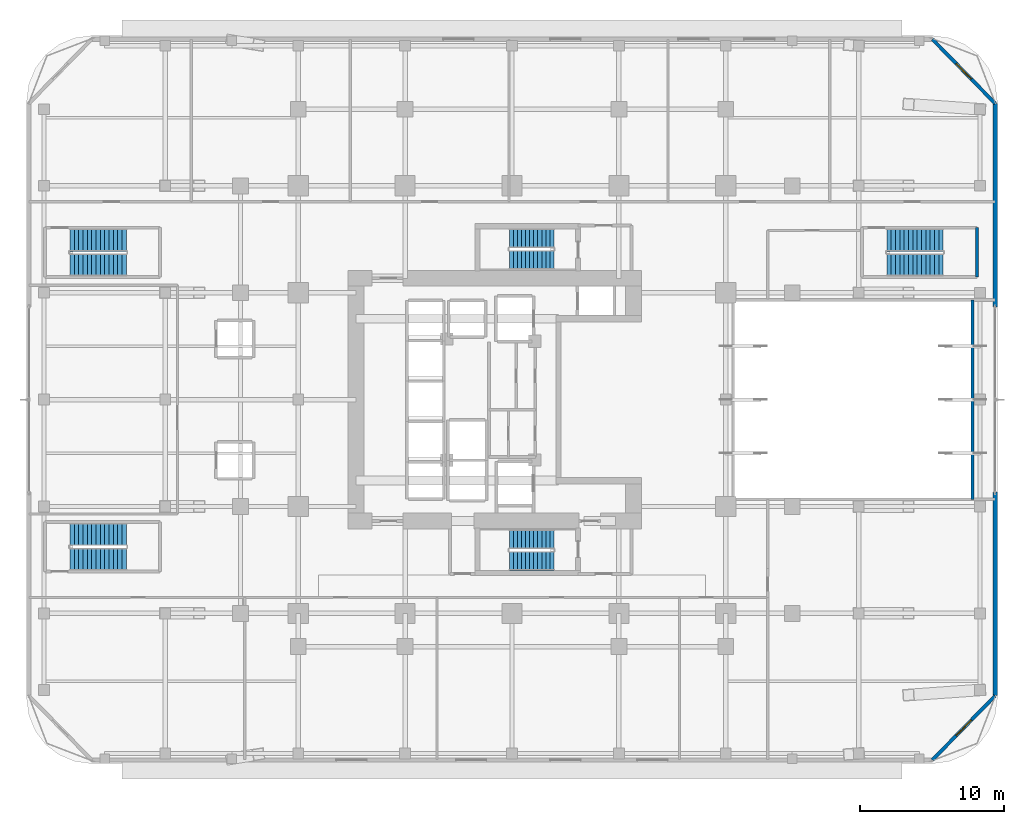
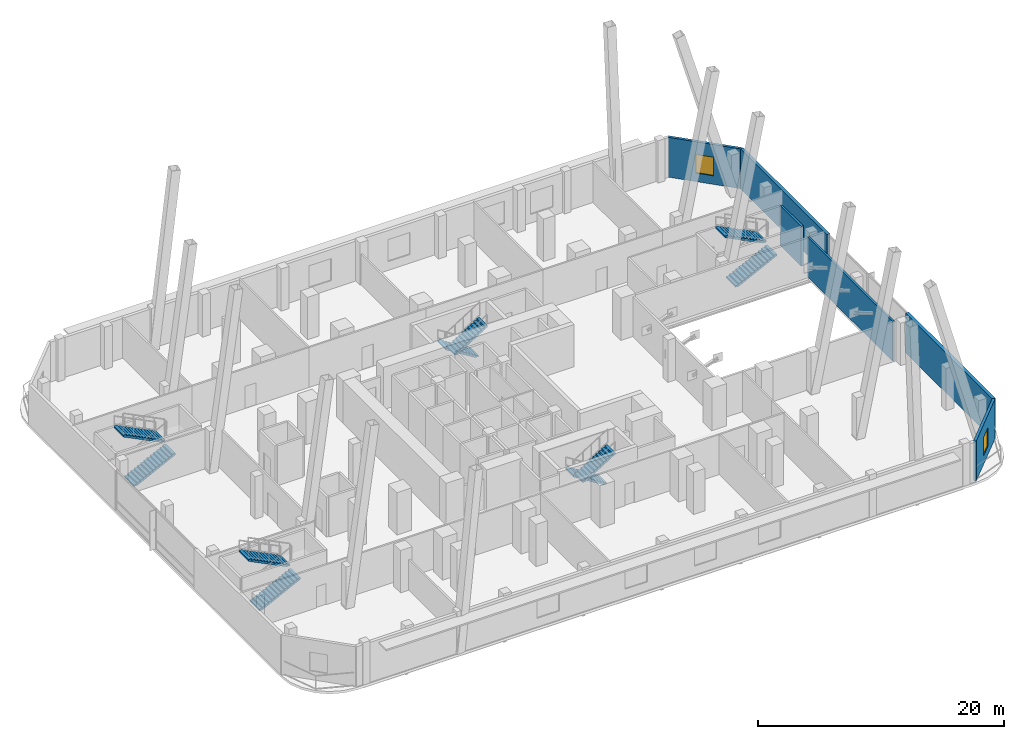
# One storey, part 15 of 23: 10 stair flights, 6 walls, 2 windows, 2 openings, 5 elements without a shape of their own.
"""IFC4 building model written with IfcOpenShell, lengths in metres."""

from ifc_helpers import new_model, si_unit, direction, frame, frame_2d, origin, place, context, subcontext, project, spatial, polyline, rectangle, outline, extrude, material, layer, layer_set, type_object, element, fill, aggregate, save


model = new_model("IFC4")

# Units and contexts
model_context = context("Model", 3, precision=1e-05, world=origin(), true_north=direction((0.0, 1.0)))
body_context = subcontext(model_context, "Body", "Model", "MODEL_VIEW")
ifc_project = project(units=[si_unit("LENGTHUNIT", "METRE"), si_unit("AREAUNIT", "SQUARE_METRE"), si_unit("VOLUMEUNIT", "CUBIC_METRE"), si_unit("PLANEANGLEUNIT", "RADIAN"), si_unit("MASSUNIT", "GRAM", prefix="KILO")], contexts=[model_context])

# Site, building, storey
site_placement = place(None, origin())
site = spatial("IfcSite", under=ifc_project, at=site_placement, CompositionType="ELEMENT")
building_placement = place(site_placement, origin())
building = spatial("IfcBuilding", under=site, at=building_placement, Name="Khorvyn Point Tower", CompositionType="ELEMENT")
storey_placement = place(building_placement, frame((0.0, 0.0, 9.0)))
storey = spatial("IfcBuildingStorey", under=building, at=storey_placement, Name="L03", CompositionType="ELEMENT", Elevation=9.0)

# Wall, opening, window
ifc_material_1 = material(Name="Pale anodised aluminium rainscreen on steel stud", Category="steel")
ifc_layer_1 = layer(ifc_material_1, 0.239990234375)
ifc_layer_set_1 = layer_set([ifc_layer_1], Name="Anodised Aluminium Insulated Corner Spandrel Wall 240")
wall_type_1 = type_object("IfcWallType", Name="Anodised Aluminium Insulated Corner Spandrel Wall 240", PredefinedType="SOLIDWALL", material=ifc_layer_set_1)
wall_1_placement = place(storey_placement, frame((29.10009765625, 24.949951171875, 0.0), z_axis=(0.0, 0.0, 1.0), x_axis=(0.69901822973, -0.715103848756, 0.0)))
wall_1 = element("IfcWall", 1, at=wall_1_placement, inside=storey, type_object=wall_type_1, Name="L03 Rounded Corner Wall NE", PredefinedType="SOLIDWALL", context=body_context, shape_type="SweptSolid", body=[
    extrude(rectangle(XDim=6.222900390625, YDim=0.239990234375, at=frame_2d((3.111328125, 0.0))), origin(), (0.0, 0.0, 1.0), 3.9599609375),
])
opening_1_placement = place(wall_1_placement, frame((2.361572265625, 0.0, 0.85009765625)))
opening_1 = element("IfcOpeningElement", 2, at=opening_1_placement, cuts=wall_1, Name="Opening WN-1518", PredefinedType="OPENING", context=body_context, shape_type="SweptSolid", body=[
    extrude(rectangle(XDim=1.5, YDim=1.85009765625, at=frame_2d((0.75, 0.925048828125))), frame((0.0, 0.1298828125, 0.0), z_axis=(0.0, -1.0, 0.0), x_axis=(1.0, 0.0, 0.0)), (0.0, 0.0, 1.0), 0.260009765625),
])
ifc_material_2 = material(Name="Anodised aluminium 6063-T6 and laminated Low-E glass", Category="aluminium")
window_type = type_object("IfcWindowType", Name="Anodised Aluminium Rounded-Corner Panoramic Window 1500x1850", PartitioningType="SINGLE_PANEL", PredefinedType="WINDOW", material=ifc_material_2)
window_1_placement = place(opening_1_placement, origin())
window_1 = element("IfcWindow", 3, at=window_1_placement, inside=storey, type_object=window_type, Name="L03 Corner Window NE", OverallHeight=1.85009765625, OverallWidth=1.5, PartitioningType="SINGLE_PANEL", PredefinedType="WINDOW", context=body_context, shape_type="SweptSolid", body=[
    extrude(rectangle(XDim=1.5, YDim=1.85009765625, at=frame_2d((0.75, 0.925048828125))), frame((0.0, 0.030029296875, 0.0), z_axis=(0.0, -1.0, 0.0), x_axis=(1.0, 0.0, 0.0)), (0.0, 0.0, 1.0), 0.06005859375),
])
fill(opening_1, window_1)

wall_2_placement = place(storey_placement, frame((33.449951171875, -20.5, 0.0), z_axis=(0.0, 0.0, 1.0), x_axis=(-0.69901822973, -0.715103848756, 0.0)))
wall_2 = element("IfcWall", 4, at=wall_2_placement, inside=storey, type_object=wall_type_1, Name="L03 Rounded Corner Wall SE", PredefinedType="SOLIDWALL", context=body_context, shape_type="SweptSolid", body=[
    extrude(rectangle(XDim=6.222900390625, YDim=0.239990234375, at=frame_2d((3.111328125, 0.0))), origin(), (0.0, 0.0, 1.0), 3.9599609375),
])
opening_2_placement = place(wall_2_placement, frame((2.361572265625, 0.0, 0.85009765625)))
opening_2 = element("IfcOpeningElement", 5, at=opening_2_placement, cuts=wall_2, Name="Opening WN-1518", PredefinedType="OPENING", context=body_context, shape_type="SweptSolid", body=[
    extrude(rectangle(XDim=1.5, YDim=1.85009765625, at=frame_2d((0.75, 0.925048828125))), frame((0.0, 0.1298828125, 0.0), z_axis=(0.0, -1.0, 0.0), x_axis=(1.0, 0.0, 0.0)), (0.0, 0.0, 1.0), 0.260009765625),
])
window_2_placement = place(opening_2_placement, origin())
window_2 = element("IfcWindow", 6, at=window_2_placement, inside=storey, type_object=window_type, Name="L03 Corner Window SE", OverallHeight=1.85009765625, OverallWidth=1.5, PartitioningType="SINGLE_PANEL", PredefinedType="WINDOW", context=body_context, shape_type="SweptSolid", body=[
    extrude(rectangle(XDim=1.5, YDim=1.85009765625, at=frame_2d((0.75, 0.925048828125))), frame((0.0, 0.030029296875, 0.0), z_axis=(0.0, -1.0, 0.0), x_axis=(1.0, 0.0, 0.0)), (0.0, 0.0, 1.0), 0.06005859375),
])
fill(opening_2, window_2)

# Walls
ifc_material_3 = material(Name="Concrete C40/50", Category="concrete")
ifc_layer_2 = layer(ifc_material_3, 0.199951171875)
ifc_layer_set_2 = layer_set([ifc_layer_2], Name="Concrete C40/50 Fire-Lobby Compartment Wall 200")
wall_type_2 = type_object("IfcWallType", Name="Concrete C40/50 Fire-Lobby Compartment Wall 200", PredefinedType="SOLIDWALL", material=ifc_layer_set_2)
wall_3_placement = place(storey_placement, frame((31.8798828125, -6.89990234375, 0.0), z_axis=(0.0, 0.0, 1.0), x_axis=(0.0, 1.0, 0.0)))
element("IfcWall", 7, at=wall_3_placement, inside=storey, type_object=wall_type_2, Name="Wall", PredefinedType="SOLIDWALL", context=body_context, shape_type="SweptSolid", body=[
    extrude(rectangle(XDim=13.7998046875, YDim=0.199951171875, at=frame_2d((6.89990234375, 0.0))), origin(), (0.0, 0.0, 1.0), 3.9599609375),
])
ifc_layer_3 = layer(ifc_material_3, 0.199951171875)
ifc_layer_set_3 = layer_set([ifc_layer_3], Name="Concrete C40/50 Structural Hoistway and Stair Shaft Wall 200")
wall_type_3 = type_object("IfcWallType", Name="Concrete C40/50 Structural Hoistway and Stair Shaft Wall 200", PredefinedType="SHEAR", material=ifc_layer_set_3)
wall_4_placement = place(storey_placement, frame((32.179931640625, 11.89990234375, 0.0), z_axis=(0.0, 0.0, 1.0), x_axis=(0.0, -1.0, 0.0)))
element("IfcWall", 8, at=wall_4_placement, inside=storey, type_object=wall_type_3, Name="Wall", PredefinedType="SHEAR", context=body_context, shape_type="SweptSolid", body=[
    extrude(rectangle(XDim=3.419921875, YDim=0.199951171875, at=frame_2d((1.7099609375, 0.0))), origin(), (0.0, 0.0, 1.0), 3.9599609375),
])
ifc_material_4 = material(Name="Precast concrete C35/45", Category="concrete")
ifc_layer_4 = layer(ifc_material_4, 0.300048828125)
ifc_layer_set_4 = layer_set([ifc_layer_4], Name="Precast Concrete C35/45 Insulated Podium Facade Wall 300")
wall_type_4 = type_object("IfcWallType", Name="Precast Concrete C35/45 Insulated Podium Facade Wall 300", PredefinedType="SOLIDWALL", material=ifc_layer_set_4)
for number, where, z_axis, x_axis, name in (
    (9, (33.449951171875, -20.5, 0.0), (0.0, 0.0, 1.0), (0.0, 1.0, 0.0), "Wall"),
    (10, (33.449951171875, 6.409912109375, 0.0), (0.0, 0.0, 1.0), (0.0, 1.0, 0.0), "Wall"),
):
    element("IfcWall", number, at=place(storey_placement, frame(where, z_axis=z_axis, x_axis=x_axis)), inside=storey, type_object=wall_type_4, Name=name, PredefinedType="SOLIDWALL", context=body_context, shape_type="SweptSolid", body=[
        extrude(rectangle(XDim=14.090087890625, YDim=0.300048828125, at=frame_2d((7.044921875, 0.0))), origin(), (0.0, 0.0, 1.0), 3.9599609375),
    ])

# Stair, stair flights
stair_type_1 = type_object("IfcStairType", Name="School Podium Concrete C40/50 Wide Exit Stair", PredefinedType="HALF_TURN_STAIR", material=ifc_material_3)
stair_1_placement = place(storey_placement, origin())
stair_1 = element("IfcStair", 11, at=stair_1_placement, inside=storey, type_object=stair_type_1, Name="L03 School Podium Smokeproof Stair Southwest", PredefinedType="HALF_TURN_STAIR")
stair_flight_type_1 = type_object("IfcStairFlightType", Name="School Podium Concrete C40/50 Gentle-Riser Flight", PredefinedType="STRAIGHT", material=ifc_material_3)
stair_flight_1_placement = place(storey_placement, frame((-30.60009765625, -11.044921875, 0.0), z_axis=(0.0, 0.0, 1.0), x_axis=(1.0, 0.0, 0.0)))
stair_flight_1 = element("IfcStairFlight", 12, at=stair_flight_1_placement, type_object=stair_flight_type_1, Name="ST-S1 flight 1", NumberOfRisers=14, NumberOfTreads=13, PredefinedType="STRAIGHT", RiserHeight=0.15, TreadLength=0.3, context=body_context, shape_type="SweptSolid", body=[
    extrude(outline(polyline([(0.0, 0.0), (0.0, 0.14990234375), (0.300048828125, 0.14990234375), (0.300048828125, 0.300048828125), (0.60009765625, 0.300048828125), (0.60009765625, 0.449951171875), (0.89990234375, 0.449951171875), (0.89990234375, 0.60009765625), (1.199951171875, 0.60009765625), (1.199951171875, 0.75), (1.5, 0.75), (1.5, 0.89990234375), (1.800048828125, 0.89990234375), (1.800048828125, 1.050048828125), (2.10009765625, 1.050048828125), (2.10009765625, 1.199951171875), (2.39990234375, 1.199951171875), (2.39990234375, 1.35009765625), (2.699951171875, 1.35009765625), (2.699951171875, 1.5), (3.0, 1.5), (3.0, 1.64990234375), (3.300048828125, 1.64990234375), (3.300048828125, 1.800048828125), (3.60009765625, 1.800048828125), (3.60009765625, 1.949951171875), (3.89990234375, 1.949951171875), (3.89990234375, 2.10009765625), (3.89990234375, 1.782470703125), (0.335205078125, 0.0), (0.0, 0.0)])), frame((0.0, 0.77490234375, 0.0), z_axis=(0.0, -1.0, 0.0), x_axis=(1.0, 0.0, 0.0)), (0.0, 0.0, 1.0), 1.550048828125),
])
stair_flight_2_placement = place(storey_placement, frame((-26.699951171875, -9.3349609375, 2.10009765625), z_axis=(0.0, 0.0, 1.0), x_axis=(-1.0, 0.0, 0.0)))
stair_flight_2 = element("IfcStairFlight", 13, at=stair_flight_2_placement, type_object=stair_flight_type_1, Name="ST-S1 flight 2", NumberOfRisers=14, NumberOfTreads=13, PredefinedType="STRAIGHT", RiserHeight=0.15, TreadLength=0.3, context=body_context, shape_type="SweptSolid", body=[
    extrude(outline(polyline([(0.0, 0.0), (0.0, 0.14990234375), (0.300048828125, 0.14990234375), (0.300048828125, 0.300048828125), (0.60009765625, 0.300048828125), (0.60009765625, 0.449951171875), (0.89990234375, 0.449951171875), (0.89990234375, 0.60009765625), (1.199951171875, 0.60009765625), (1.199951171875, 0.75), (1.5, 0.75), (1.5, 0.89990234375), (1.800048828125, 0.89990234375), (1.800048828125, 1.050048828125), (2.10009765625, 1.050048828125), (2.10009765625, 1.199951171875), (2.39990234375, 1.199951171875), (2.39990234375, 1.35009765625), (2.699951171875, 1.35009765625), (2.699951171875, 1.5), (3.0, 1.5), (3.0, 1.64990234375), (3.300048828125, 1.64990234375), (3.300048828125, 1.800048828125), (3.60009765625, 1.800048828125), (3.60009765625, 1.949951171875), (3.89990234375, 1.949951171875), (3.89990234375, 2.10009765625), (3.89990234375, 1.782470703125), (0.335205078125, 0.0), (0.0, 0.0)])), frame((0.0, 0.77490234375, 0.0), z_axis=(0.0, -1.0, 0.0), x_axis=(1.0, 0.0, 0.0)), (0.0, 0.0, 1.0), 1.550048828125),
])
aggregate(stair_1, [stair_flight_1, stair_flight_2])

stair_2_placement = place(storey_placement, origin())
stair_2 = element("IfcStair", 14, at=stair_2_placement, inside=storey, type_object=stair_type_1, Name="L03 School Podium Smokeproof Stair Northwest", PredefinedType="HALF_TURN_STAIR")
stair_flight_3_placement = place(storey_placement, frame((-30.60009765625, 9.3349609375, 0.0), z_axis=(0.0, 0.0, 1.0), x_axis=(1.0, 0.0, 0.0)))
stair_flight_3 = element("IfcStairFlight", 15, at=stair_flight_3_placement, type_object=stair_flight_type_1, Name="ST-S2 flight 1", NumberOfRisers=14, NumberOfTreads=13, PredefinedType="STRAIGHT", RiserHeight=0.15, TreadLength=0.3, context=body_context, shape_type="SweptSolid", body=[
    extrude(outline(polyline([(0.0, 0.0), (0.0, 0.14990234375), (0.300048828125, 0.14990234375), (0.300048828125, 0.300048828125), (0.60009765625, 0.300048828125), (0.60009765625, 0.449951171875), (0.89990234375, 0.449951171875), (0.89990234375, 0.60009765625), (1.199951171875, 0.60009765625), (1.199951171875, 0.75), (1.5, 0.75), (1.5, 0.89990234375), (1.800048828125, 0.89990234375), (1.800048828125, 1.050048828125), (2.10009765625, 1.050048828125), (2.10009765625, 1.199951171875), (2.39990234375, 1.199951171875), (2.39990234375, 1.35009765625), (2.699951171875, 1.35009765625), (2.699951171875, 1.5), (3.0, 1.5), (3.0, 1.64990234375), (3.300048828125, 1.64990234375), (3.300048828125, 1.800048828125), (3.60009765625, 1.800048828125), (3.60009765625, 1.949951171875), (3.89990234375, 1.949951171875), (3.89990234375, 2.10009765625), (3.89990234375, 1.782470703125), (0.335205078125, 0.0), (0.0, 0.0)])), frame((0.0, 0.77490234375, 0.0), z_axis=(0.0, -1.0, 0.0), x_axis=(1.0, 0.0, 0.0)), (0.0, 0.0, 1.0), 1.550048828125),
])
stair_flight_4_placement = place(storey_placement, frame((-26.699951171875, 11.044921875, 2.10009765625), z_axis=(0.0, 0.0, 1.0), x_axis=(-1.0, 0.0, 0.0)))
stair_flight_4 = element("IfcStairFlight", 16, at=stair_flight_4_placement, type_object=stair_flight_type_1, Name="ST-S2 flight 2", NumberOfRisers=14, NumberOfTreads=13, PredefinedType="STRAIGHT", RiserHeight=0.15, TreadLength=0.3, context=body_context, shape_type="SweptSolid", body=[
    extrude(outline(polyline([(0.0, 0.0), (0.0, 0.14990234375), (0.300048828125, 0.14990234375), (0.300048828125, 0.300048828125), (0.60009765625, 0.300048828125), (0.60009765625, 0.449951171875), (0.89990234375, 0.449951171875), (0.89990234375, 0.60009765625), (1.199951171875, 0.60009765625), (1.199951171875, 0.75), (1.5, 0.75), (1.5, 0.89990234375), (1.800048828125, 0.89990234375), (1.800048828125, 1.050048828125), (2.10009765625, 1.050048828125), (2.10009765625, 1.199951171875), (2.39990234375, 1.199951171875), (2.39990234375, 1.35009765625), (2.699951171875, 1.35009765625), (2.699951171875, 1.5), (3.0, 1.5), (3.0, 1.64990234375), (3.300048828125, 1.64990234375), (3.300048828125, 1.800048828125), (3.60009765625, 1.800048828125), (3.60009765625, 1.949951171875), (3.89990234375, 1.949951171875), (3.89990234375, 2.10009765625), (3.89990234375, 1.782470703125), (0.335205078125, 0.0), (0.0, 0.0)])), frame((0.0, 0.77490234375, 0.0), z_axis=(0.0, -1.0, 0.0), x_axis=(1.0, 0.0, 0.0)), (0.0, 0.0, 1.0), 1.550048828125),
])
aggregate(stair_2, [stair_flight_3, stair_flight_4])

stair_3_placement = place(storey_placement, origin())
stair_3 = element("IfcStair", 17, at=stair_3_placement, inside=storey, type_object=stair_type_1, Name="L03 School Podium Smokeproof Stair Northeast", PredefinedType="HALF_TURN_STAIR")
stair_flight_5_placement = place(storey_placement, frame((25.949951171875, 9.3349609375, 0.0), z_axis=(0.0, 0.0, 1.0), x_axis=(1.0, 0.0, 0.0)))
stair_flight_5 = element("IfcStairFlight", 18, at=stair_flight_5_placement, type_object=stair_flight_type_1, Name="ST-S3 flight 1", NumberOfRisers=14, NumberOfTreads=13, PredefinedType="STRAIGHT", RiserHeight=0.15, TreadLength=0.3, context=body_context, shape_type="SweptSolid", body=[
    extrude(outline(polyline([(0.0, 0.0), (0.0, 0.14990234375), (0.300048828125, 0.14990234375), (0.300048828125, 0.300048828125), (0.60009765625, 0.300048828125), (0.60009765625, 0.449951171875), (0.89990234375, 0.449951171875), (0.89990234375, 0.60009765625), (1.199951171875, 0.60009765625), (1.199951171875, 0.75), (1.5, 0.75), (1.5, 0.89990234375), (1.800048828125, 0.89990234375), (1.800048828125, 1.050048828125), (2.10009765625, 1.050048828125), (2.10009765625, 1.199951171875), (2.39990234375, 1.199951171875), (2.39990234375, 1.35009765625), (2.699951171875, 1.35009765625), (2.699951171875, 1.5), (3.0, 1.5), (3.0, 1.64990234375), (3.300048828125, 1.64990234375), (3.300048828125, 1.800048828125), (3.60009765625, 1.800048828125), (3.60009765625, 1.949951171875), (3.89990234375, 1.949951171875), (3.89990234375, 2.10009765625), (3.89990234375, 1.782470703125), (0.335205078125, 0.0), (0.0, 0.0)])), frame((0.0, 0.77490234375, 0.0), z_axis=(0.0, -1.0, 0.0), x_axis=(1.0, 0.0, 0.0)), (0.0, 0.0, 1.0), 1.550048828125),
])
stair_flight_6_placement = place(storey_placement, frame((29.85009765625, 11.044921875, 2.10009765625), z_axis=(0.0, 0.0, 1.0), x_axis=(-1.0, 0.0, 0.0)))
stair_flight_6 = element("IfcStairFlight", 19, at=stair_flight_6_placement, type_object=stair_flight_type_1, Name="ST-S3 flight 2", NumberOfRisers=14, NumberOfTreads=13, PredefinedType="STRAIGHT", RiserHeight=0.15, TreadLength=0.3, context=body_context, shape_type="SweptSolid", body=[
    extrude(outline(polyline([(0.0, 0.0), (0.0, 0.14990234375), (0.300048828125, 0.14990234375), (0.300048828125, 0.300048828125), (0.60009765625, 0.300048828125), (0.60009765625, 0.449951171875), (0.89990234375, 0.449951171875), (0.89990234375, 0.60009765625), (1.199951171875, 0.60009765625), (1.199951171875, 0.75), (1.5, 0.75), (1.5, 0.89990234375), (1.800048828125, 0.89990234375), (1.800048828125, 1.050048828125), (2.10009765625, 1.050048828125), (2.10009765625, 1.199951171875), (2.39990234375, 1.199951171875), (2.39990234375, 1.35009765625), (2.699951171875, 1.35009765625), (2.699951171875, 1.5), (3.0, 1.5), (3.0, 1.64990234375), (3.300048828125, 1.64990234375), (3.300048828125, 1.800048828125), (3.60009765625, 1.800048828125), (3.60009765625, 1.949951171875), (3.89990234375, 1.949951171875), (3.89990234375, 2.10009765625), (3.89990234375, 1.782470703125), (0.335205078125, 0.0), (0.0, 0.0)])), frame((0.0, 0.77490234375, 0.0), z_axis=(0.0, -1.0, 0.0), x_axis=(1.0, 0.0, 0.0)), (0.0, 0.0, 1.0), 1.550048828125),
])
aggregate(stair_3, [stair_flight_5, stair_flight_6])

stair_type_2 = type_object("IfcStairType", Name="Tower Concrete C40/50 Dogleg Exit Stair", PredefinedType="HALF_TURN_STAIR", material=ifc_material_3)
stair_4_placement = place(storey_placement, origin())
stair_4 = element("IfcStair", 20, at=stair_4_placement, inside=storey, type_object=stair_type_2, Name="L03 Tower Smokeproof Exit Stair South", PredefinedType="HALF_TURN_STAIR")
stair_flight_type_2 = type_object("IfcStairFlightType", Name="Tower Concrete C40/50 Stair Flight", PredefinedType="STRAIGHT", material=ifc_material_3)
stair_flight_7_placement = place(storey_placement, frame((2.89990234375, -9.679931640625, 0.0), z_axis=(0.0, 0.0, 1.0), x_axis=(-1.0, 0.0, 0.0)))
stair_flight_7 = element("IfcStairFlight", 21, at=stair_flight_7_placement, type_object=stair_flight_type_2, Name="ST-01 flight 1", NumberOfRisers=12, NumberOfTreads=11, PredefinedType="STRAIGHT", RiserHeight=0.175, TreadLength=0.28, context=body_context, shape_type="SweptSolid", body=[
    extrude(outline(polyline([(0.0, 0.0), (0.0, 0.175048828125), (0.280029296875, 0.175048828125), (0.280029296875, 0.35009765625), (0.56005859375, 0.35009765625), (0.56005859375, 0.52490234375), (0.840087890625, 0.52490234375), (0.840087890625, 0.699951171875), (1.1201171875, 0.699951171875), (1.1201171875, 0.875), (1.39990234375, 0.875), (1.39990234375, 1.050048828125), (1.679931640625, 1.050048828125), (1.679931640625, 1.22509765625), (1.9599609375, 1.22509765625), (1.9599609375, 1.39990234375), (2.239990234375, 1.39990234375), (2.239990234375, 1.574951171875), (2.52001953125, 1.574951171875), (2.52001953125, 1.75), (2.800048828125, 1.75), (2.800048828125, 1.925048828125), (3.080078125, 1.925048828125), (3.080078125, 2.10009765625), (3.080078125, 1.748291015625), (0.28271484375, 0.0), (0.0, 0.0)])), frame((0.0, 0.66015625, 0.0), z_axis=(0.0, -1.0, 0.0), x_axis=(1.0, 0.0, 0.0)), (0.0, 0.0, 1.0), 1.320068359375),
])
stair_flight_8_placement = place(storey_placement, frame((-0.179931640625, -11.159912109375, 2.10009765625), z_axis=(0.0, 0.0, 1.0), x_axis=(1.0, 0.0, 0.0)))
stair_flight_8 = element("IfcStairFlight", 22, at=stair_flight_8_placement, type_object=stair_flight_type_2, Name="ST-01 flight 2", NumberOfRisers=12, NumberOfTreads=11, PredefinedType="STRAIGHT", RiserHeight=0.175, TreadLength=0.28, context=body_context, shape_type="SweptSolid", body=[
    extrude(outline(polyline([(0.0, 0.0), (0.0, 0.175048828125), (0.280029296875, 0.175048828125), (0.280029296875, 0.35009765625), (0.56005859375, 0.35009765625), (0.56005859375, 0.52490234375), (0.840087890625, 0.52490234375), (0.840087890625, 0.699951171875), (1.1201171875, 0.699951171875), (1.1201171875, 0.875), (1.39990234375, 0.875), (1.39990234375, 1.050048828125), (1.679931640625, 1.050048828125), (1.679931640625, 1.22509765625), (1.9599609375, 1.22509765625), (1.9599609375, 1.39990234375), (2.239990234375, 1.39990234375), (2.239990234375, 1.574951171875), (2.52001953125, 1.574951171875), (2.52001953125, 1.75), (2.800048828125, 1.75), (2.800048828125, 1.925048828125), (3.080078125, 1.925048828125), (3.080078125, 2.10009765625), (3.080078125, 1.748291015625), (0.28271484375, 0.0), (0.0, 0.0)])), frame((0.0, 0.66015625, 0.0), z_axis=(0.0, -1.0, 0.0), x_axis=(1.0, 0.0, 0.0)), (0.0, 0.0, 1.0), 1.320068359375),
])
aggregate(stair_4, [stair_flight_7, stair_flight_8])

stair_5_placement = place(storey_placement, origin())
stair_5 = element("IfcStair", 23, at=stair_5_placement, inside=storey, type_object=stair_type_2, Name="L03 Tower Smokeproof Exit Stair North", PredefinedType="HALF_TURN_STAIR")
stair_flight_9_placement = place(storey_placement, frame((2.89990234375, 11.159912109375, 0.0), z_axis=(0.0, 0.0, 1.0), x_axis=(-1.0, 0.0, 0.0)))
stair_flight_9 = element("IfcStairFlight", 24, at=stair_flight_9_placement, type_object=stair_flight_type_2, Name="ST-02 flight 1", NumberOfRisers=12, NumberOfTreads=11, PredefinedType="STRAIGHT", RiserHeight=0.175, TreadLength=0.28, context=body_context, shape_type="SweptSolid", body=[
    extrude(outline(polyline([(0.0, 0.0), (0.0, 0.175048828125), (0.280029296875, 0.175048828125), (0.280029296875, 0.35009765625), (0.56005859375, 0.35009765625), (0.56005859375, 0.52490234375), (0.840087890625, 0.52490234375), (0.840087890625, 0.699951171875), (1.1201171875, 0.699951171875), (1.1201171875, 0.875), (1.39990234375, 0.875), (1.39990234375, 1.050048828125), (1.679931640625, 1.050048828125), (1.679931640625, 1.22509765625), (1.9599609375, 1.22509765625), (1.9599609375, 1.39990234375), (2.239990234375, 1.39990234375), (2.239990234375, 1.574951171875), (2.52001953125, 1.574951171875), (2.52001953125, 1.75), (2.800048828125, 1.75), (2.800048828125, 1.925048828125), (3.080078125, 1.925048828125), (3.080078125, 2.10009765625), (3.080078125, 1.748291015625), (0.28271484375, 0.0), (0.0, 0.0)])), frame((0.0, 0.66015625, 0.0), z_axis=(0.0, -1.0, 0.0), x_axis=(1.0, 0.0, 0.0)), (0.0, 0.0, 1.0), 1.320068359375),
])
stair_flight_10_placement = place(storey_placement, frame((-0.179931640625, 9.679931640625, 2.10009765625), z_axis=(0.0, 0.0, 1.0), x_axis=(1.0, 0.0, 0.0)))
stair_flight_10 = element("IfcStairFlight", 25, at=stair_flight_10_placement, type_object=stair_flight_type_2, Name="ST-02 flight 2", NumberOfRisers=12, NumberOfTreads=11, PredefinedType="STRAIGHT", RiserHeight=0.175, TreadLength=0.28, context=body_context, shape_type="SweptSolid", body=[
    extrude(outline(polyline([(0.0, 0.0), (0.0, 0.175048828125), (0.280029296875, 0.175048828125), (0.280029296875, 0.35009765625), (0.56005859375, 0.35009765625), (0.56005859375, 0.52490234375), (0.840087890625, 0.52490234375), (0.840087890625, 0.699951171875), (1.1201171875, 0.699951171875), (1.1201171875, 0.875), (1.39990234375, 0.875), (1.39990234375, 1.050048828125), (1.679931640625, 1.050048828125), (1.679931640625, 1.22509765625), (1.9599609375, 1.22509765625), (1.9599609375, 1.39990234375), (2.239990234375, 1.39990234375), (2.239990234375, 1.574951171875), (2.52001953125, 1.574951171875), (2.52001953125, 1.75), (2.800048828125, 1.75), (2.800048828125, 1.925048828125), (3.080078125, 1.925048828125), (3.080078125, 2.10009765625), (3.080078125, 1.748291015625), (0.28271484375, 0.0), (0.0, 0.0)])), frame((0.0, 0.66015625, 0.0), z_axis=(0.0, -1.0, 0.0), x_axis=(1.0, 0.0, 0.0)), (0.0, 0.0, 1.0), 1.320068359375),
])
aggregate(stair_5, [stair_flight_9, stair_flight_10])

save(model, "model.ifc")
